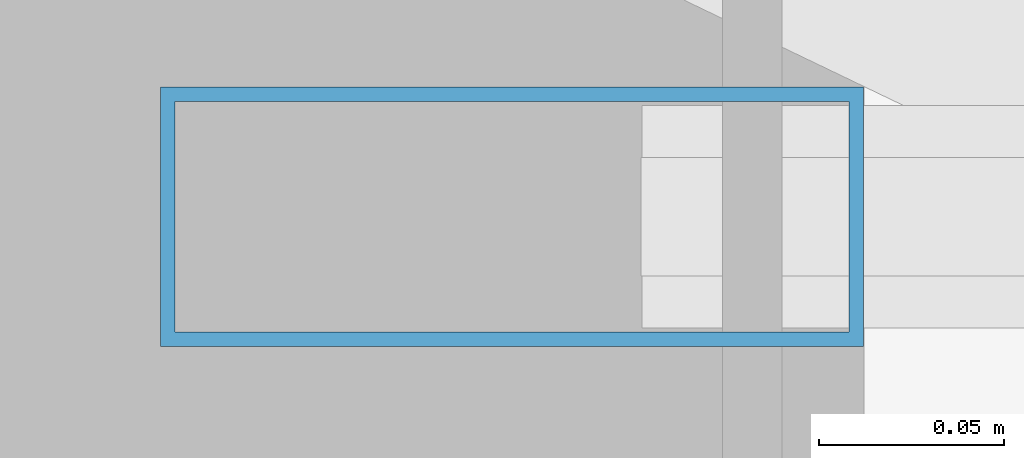
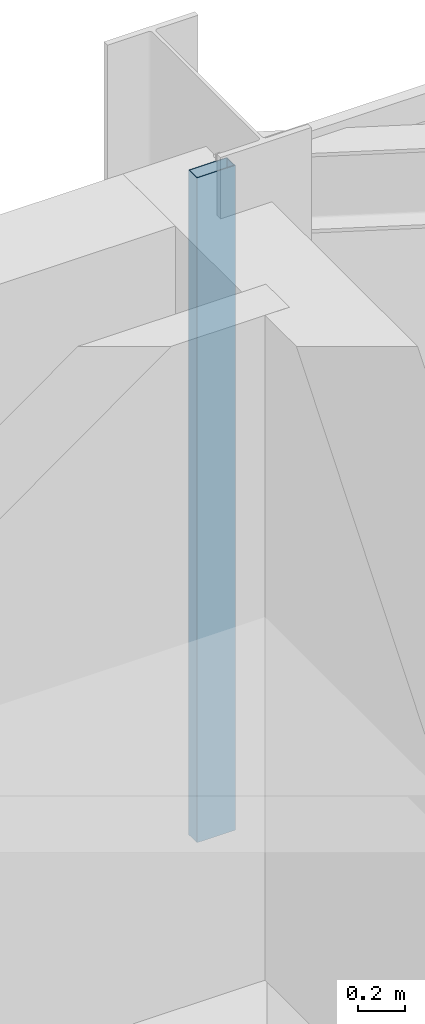
# One storey, part 23 of 33: 1 member, 1 element without a shape of its own.
"""IFC4 building model written with IfcOpenShell, lengths in metres."""

import ifcopenshell
import ifcopenshell.guid

model = None  # the IFC model being written
_history = None  # IfcOwnerHistory: only IFC2X3 demands one
_inside = {}  # id of a spatial element -> (the spatial element, [elements in it])
_under = {}  # id of a project, library or spatial element -> (it, [spatial elements below it])
_declared = {}  # id of a project -> (the project, [libraries it declares])
_typed = {}  # id of a type object -> (the type object, [elements of that type])
_made_of = {}  # id of a material, layer set ... -> (it, [elements and type objects made of it])


def new_model(schema):
    """Start an empty IFC model of exactly this schema.

    Asked for "IFC4X3", IfcOpenShell would pick the latest addendum, in which some entities
    have other attributes; the version numbers below select the first issue.
    IFC2X3 requires an IfcOwnerHistory on every rooted entity: one is made here for all.
    """
    global model, _history
    if schema == "IFC4X3":
        model = ifcopenshell.file(schema_version=(4, 3, 0, 0))
    else:
        model = ifcopenshell.file(schema=schema)
    _inside.clear()
    _under.clear()
    _declared.clear()
    _typed.clear()
    _made_of.clear()
    _history = None
    if model.schema == "IFC2X3":
        org = make("IfcOrganization", Name="unknown")
        user = make(
            "IfcPersonAndOrganization",
            ThePerson=make("IfcPerson", FamilyName="unknown"),
            TheOrganization=org,
        )
        app = make(
            "IfcApplication",
            ApplicationDeveloper=org,
            Version="unknown",
            ApplicationFullName="unknown",
            ApplicationIdentifier="unknown",
        )
        _history = make(
            "IfcOwnerHistory",
            OwningUser=user,
            OwningApplication=app,
            ChangeAction="ADDED",
            CreationDate=0,
        )
    return model


def make(cls, **values):
    """One entity of the class cls with the attributes given. An attribute that is None is left unset."""
    return model.create_entity(
        cls, **{name: value for name, value in values.items() if value is not None}
    )


def rooted(cls, **values):
    """An entity with a GlobalId (a new one), such as an element, a storey or a relation."""
    return make(cls, GlobalId=ifcopenshell.guid.new(), OwnerHistory=_history, **values)


def si_unit(unit_type, name, prefix=None):
    """IfcSIUnit, for example si_unit("LENGTHUNIT", "METRE", prefix="MILLI")."""
    return make("IfcSIUnit", UnitType=unit_type, Prefix=prefix, Name=name)


def assignment(units):
    """IfcUnitAssignment: the units of a project."""
    return None if units is None else make("IfcUnitAssignment", Units=units)


def point(xyz):
    """IfcCartesianPoint."""
    return None if xyz is None else make("IfcCartesianPoint", Coordinates=xyz)


def direction(xyz):
    """IfcDirection."""
    return None if xyz is None else make("IfcDirection", DirectionRatios=xyz)


def frame(location, z_axis=None, x_axis=None):
    """IfcAxis2Placement3D, a coordinate frame: its origin and axes. An axis left out is left unset."""
    return make(
        "IfcAxis2Placement3D",
        Location=point(location),
        Axis=direction(z_axis),
        RefDirection=direction(x_axis),
    )


def frame_2d(location, x_axis=None):
    """IfcAxis2Placement2D, a coordinate frame in the plane: its origin and x axis."""
    return make(
        "IfcAxis2Placement2D", Location=point(location), RefDirection=direction(x_axis)
    )


def origin():
    """The frame at (0, 0, 0) with its axes left unset."""
    return frame((0.0, 0.0, 0.0))


def origin_2d():
    """The frame at (0, 0) in the plane with its x axis left unset."""
    return frame_2d((0.0, 0.0))


def place(relative_to, where):
    """IfcLocalPlacement: puts the frame where relative to a parent placement (None: the world)."""
    return make(
        "IfcLocalPlacement", PlacementRelTo=relative_to, RelativePlacement=where
    )


def context(
    kind, dimensions, precision=None, world=None, true_north=None, identifier=None
):
    """IfcGeometricRepresentationContext, for example the 3D "Model" context."""
    return make(
        "IfcGeometricRepresentationContext",
        ContextIdentifier=identifier,
        ContextType=kind,
        CoordinateSpaceDimension=dimensions,
        Precision=precision,
        WorldCoordinateSystem=world,
        TrueNorth=true_north,
    )


def subcontext(parent, identifier, kind, view, scale=None):
    """IfcGeometricRepresentationSubContext, for example "Body" below "Model"."""
    return make(
        "IfcGeometricRepresentationSubContext",
        ContextIdentifier=identifier,
        ContextType=kind,
        ParentContext=parent,
        TargetScale=scale,
        TargetView=view,
    )


def project(units=None, contexts=None):
    """IfcProject with its units and contexts."""
    return rooted(
        "IfcProject",
        Name="project",
        RepresentationContexts=contexts,
        UnitsInContext=assignment(units),
    )


def spatial(cls, under=None, at=None, **own):
    """A site, building, storey or space (cls), placed at a placement, below another one or the project."""
    s = rooted(cls, ObjectPlacement=at, **own)
    if under is not None:
        _under.setdefault(under.id(), (under, []))[1].append(s)
    return s


def profile(cls, at=None, kind="AREA", **sizes):
    """A parametric profile (cls). Its sizes go by their IFC names, for example OverallWidth=200.0."""
    return make(cls, ProfileType=kind, Position=at, **sizes)


def hollow_rectangle(**sizes):
    """IfcRectangleHollowProfileDef."""
    return profile("IfcRectangleHollowProfileDef", **sizes)


def extrude(swept, where, along, depth):
    """IfcExtrudedAreaSolid: the profile swept, set in the frame where, extruded along a direction by depth."""
    return make(
        "IfcExtrudedAreaSolid",
        SweptArea=swept,
        Position=where,
        ExtrudedDirection=direction(along),
        Depth=depth,
    )


def shape(context_of_items, identifier, shape_type, items):
    """IfcShapeRepresentation: the items that make up one representation, for example the "Body"."""
    return make(
        "IfcShapeRepresentation",
        ContextOfItems=context_of_items,
        RepresentationIdentifier=identifier,
        RepresentationType=shape_type,
        Items=items,
    )


def source(mapping_origin, context_of_items, identifier, shape_type, items):
    """IfcRepresentationMap: a shape defined once, which mapped items show again and again."""
    return make(
        "IfcRepresentationMap",
        MappingOrigin=mapping_origin,
        MappedRepresentation=shape(context_of_items, identifier, shape_type, items),
    )


def transform(
    local_origin,
    x_axis=None,
    y_axis=None,
    z_axis=None,
    scale=None,
    scale2=None,
    scale3=None,
    uniform=True,
):
    """IfcCartesianTransformationOperator3D, or its non-uniform kind. x_axis, y_axis, z_axis: its Axis1, 2, 3."""
    if uniform:
        return make(
            "IfcCartesianTransformationOperator3D",
            Axis1=direction(x_axis),
            Axis2=direction(y_axis),
            LocalOrigin=point(local_origin),
            Scale=scale,
            Axis3=direction(z_axis),
        )
    return make(
        "IfcCartesianTransformationOperator3DnonUniform",
        Axis1=direction(x_axis),
        Axis2=direction(y_axis),
        LocalOrigin=point(local_origin),
        Scale=scale,
        Axis3=direction(z_axis),
        Scale2=scale2,
        Scale3=scale3,
    )


def mapped(mapping_source, mapping_target):
    """IfcMappedItem: shows the shape of a source again, moved by a transform."""
    return make(
        "IfcMappedItem", MappingSource=mapping_source, MappingTarget=mapping_target
    )


def material(Name=None, Category=None):
    """IfcMaterial."""
    return make("IfcMaterial", Name=Name, Category=Category)


def layer(
    of_material, thickness, ventilated=None, Name=None, Category=None, Priority=None
):
    """IfcMaterialLayer: one layer of a wall or slab, of a material (None: an air gap)."""
    return make(
        "IfcMaterialLayer",
        Material=of_material,
        LayerThickness=thickness,
        IsVentilated=ventilated,
        Name=Name,
        Category=Category,
        Priority=Priority,
    )


def layer_set(layers, Name=None):
    """IfcMaterialLayerSet."""
    return make("IfcMaterialLayerSet", MaterialLayers=layers, LayerSetName=Name)


def material_profile(
    of_material, cross_section, Name=None, Category=None, Priority=None
):
    """IfcMaterialProfile: a cross section and its material."""
    return make(
        "IfcMaterialProfile",
        Name=Name,
        Material=of_material,
        Profile=cross_section,
        Priority=Priority,
        Category=Category,
    )


def profile_set(profiles, Name=None, composite=None):
    """IfcMaterialProfileSet."""
    return make(
        "IfcMaterialProfileSet",
        Name=Name,
        MaterialProfiles=profiles,
        CompositeProfile=composite,
    )


def made_of(thing, what):
    """Note that an element or type object is made of a material, layer set ...; save() writes the relation."""
    if what is not None:
        _made_of.setdefault(what.id(), (what, []))[1].append(thing)
    return thing


def type_object(cls, material=None, **own):
    """A type object (cls), such as IfcWallType, which elements share."""
    return made_of(rooted(cls, **own), material)


def type_shapes(of_type, sources):
    """Give a type object the sources (RepresentationMaps) that its elements show as mapped items."""
    of_type.RepresentationMaps = sources


def element(
    cls,
    number,
    at=None,
    inside=None,
    cuts=None,
    type_object=None,
    material=None,
    context=None,
    identifier="Body",
    shape_type=None,
    held_by="IfcProductDefinitionShape",
    body=None,
    shapes=None,
    **own,
):
    """One element of the class cls, such as IfcWall. Its Tag is "e" and its number.

    at: its placement. inside: the storey or other place that contains it. cuts: it is an
    opening in that element (IfcRelVoidsElement). A single representation is given by context,
    identifier, shape_type and body (its items); several are given by shapes. held_by: the class
    of the entity that holds the representations. save() writes the other relations.
    """
    e = rooted(cls, Tag="e%d" % number, ObjectPlacement=at, **own)
    if body is not None:
        shapes = [shape(context, identifier, shape_type, body)]
    if shapes is not None:
        e.Representation = make(held_by, Representations=shapes)
    if inside is not None:
        _inside.setdefault(inside.id(), (inside, []))[1].append(e)
    if cuts is not None:
        rooted(
            "IfcRelVoidsElement", RelatingBuildingElement=cuts, RelatedOpeningElement=e
        )
    if type_object is not None:
        _typed.setdefault(type_object.id(), (type_object, []))[1].append(e)
    return made_of(e, material)


def aggregate(whole, parts):
    """IfcRelAggregates: a whole, such as a stair, and the parts it consists of."""
    return rooted("IfcRelAggregates", RelatingObject=whole, RelatedObjects=parts)


def save(model, path):
    """Write the relations noted so far, then the file.

    IfcRelAggregates (storeys below a building ...), IfcRelContainedInSpatialStructure (elements
    in a storey), IfcRelDefinesByType, IfcRelAssociatesMaterial and IfcRelDeclares: one each for
    every whole, place, type object, material and project.
    """
    for whole, parts in _under.values():
        aggregate(whole, parts)
    for where, things in _inside.values():
        rooted(
            "IfcRelContainedInSpatialStructure",
            RelatedElements=things,
            RelatingStructure=where,
        )
    for kind, things in _typed.values():
        rooted("IfcRelDefinesByType", RelatedObjects=things, RelatingType=kind)
    for what, things in _made_of.values():
        rooted("IfcRelAssociatesMaterial", RelatedObjects=things, RelatingMaterial=what)
    for by, libraries in _declared.values():
        rooted("IfcRelDeclares", RelatingContext=by, RelatedDefinitions=libraries)
    model.write(path)


model = new_model("IFC4")

# Units and contexts
model_context = context("Model", 3, precision=1e-05, world=origin(), true_north=direction((0.0, 1.0)))
body_context = subcontext(model_context, "Body", "Model", "MODEL_VIEW")
ifc_project = project(units=[si_unit("LENGTHUNIT", "METRE"), si_unit("AREAUNIT", "SQUARE_METRE"), si_unit("VOLUMEUNIT", "CUBIC_METRE"), si_unit("PLANEANGLEUNIT", "RADIAN"), si_unit("MASSUNIT", "GRAM", prefix="KILO")], contexts=[model_context])

# Site, building, storey
site_placement = place(None, origin())
site = spatial("IfcSite", under=ifc_project, at=site_placement, CompositionType="ELEMENT")
building_placement = place(site_placement, origin())
building = spatial("IfcBuilding", under=site, at=building_placement, Name="Varnel Quay Broadcast Tower", CompositionType="ELEMENT")
storey_placement = place(building_placement, frame((0.0, 0.0, 137.199951171875)))
storey = spatial("IfcBuildingStorey", under=building, at=storey_placement, Name="L33", CompositionType="ELEMENT", Elevation=137.199951171875)

# Curtain wall, member
ifc_material = material(Name="Anodised Bronze Aluminium 6063-T6", Category="aluminium")
ifc_layer = layer(ifc_material, 0.18994140625, Name="Anodised Bronze Aluminium 6063-T6")
ifc_layer_set = layer_set([ifc_layer], Name="Anodised Bronze Aluminium 6063-T6")
curtain_wall_type = type_object("IfcCurtainWallType", Name="CW_LowerTower", PredefinedType="NOTDEFINED", material=ifc_layer_set)
curtain_wall_placement = place(storey_placement, origin())
curtain_wall = element("IfcCurtainWall", 1, at=curtain_wall_placement, inside=storey, type_object=curtain_wall_type, Name="L33 NE Wing Curtain Wall", PredefinedType="NOTDEFINED")
ifc_material_profile = material_profile(ifc_material, hollow_rectangle(XDim=0.070068359375, YDim=0.18994140625, WallThickness=0.00390625, at=origin_2d()), Name="ALU70X190X4")
ifc_profile_set = profile_set([ifc_material_profile], Name="Anodised Bronze Aluminium 6063-T6")
member_type = type_object("IfcMemberType", Name="Mull_CWS-02", PredefinedType="MULLION", material=ifc_profile_set)
shared_shape = source(origin(), body_context, "Body", "SweptSolid", [
    extrude(hollow_rectangle(XDim=0.070068359375, YDim=0.18994140625, WallThickness=0.00390625, at=origin_2d()), origin(), (0.0, 0.0, 1.0), 3.47998046875),
])
type_shapes(member_type, [shared_shape])
member_placement = place(storey_placement, frame((52.3349609375, 46.64990234375, 0.0), z_axis=(0.0, 0.0, 1.0), x_axis=(0.0, 1.0, 0.0)))
member = element("IfcMember", 2, at=member_placement, type_object=member_type, Name="CWS-02 mullion 1", PredefinedType="MULLION", context=body_context, shape_type="MappedRepresentation", body=[
    mapped(shared_shape, transform((0.0, 0.0, 0.0), x_axis=(1.0, 0.0, 0.0), y_axis=(0.0, 1.0, 0.0), z_axis=(0.0, 0.0, 1.0), scale=1.0)),
])
aggregate(curtain_wall, [member])

save(model, "model.ifc")
